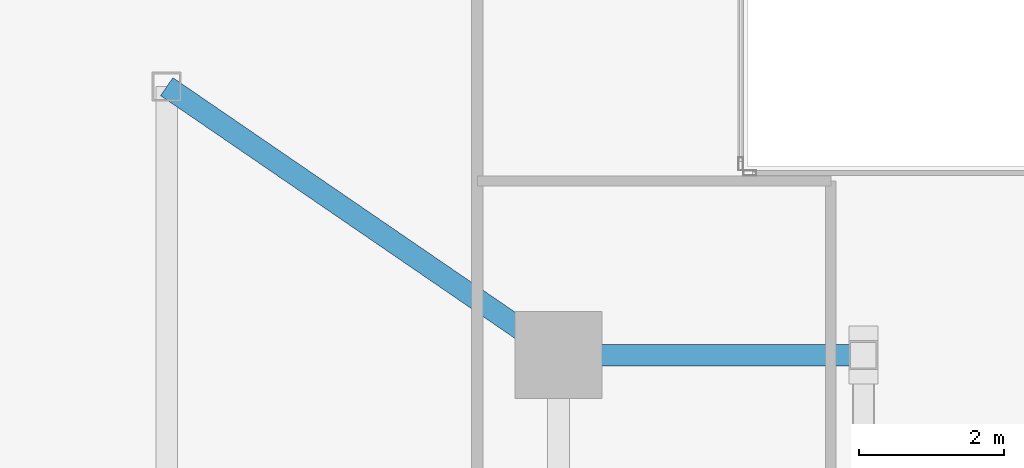
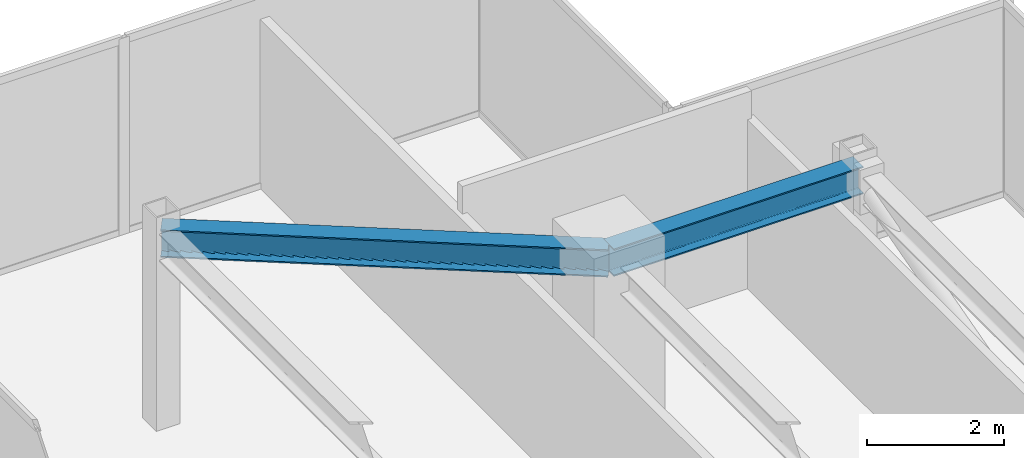
# One storey, part 15 of 25: 2 beams.
"""IFC4 building model written with IfcOpenShell, lengths in metres."""

from ifc_helpers import new_model, si_unit, direction, frame, origin, origin_2d, place, context, subcontext, project, spatial, i_section, extrude, source, transform, mapped, material, material_profile, profile_set, type_object, type_shapes, element, save


model = new_model("IFC4")

# Units and contexts
model_context = context("Model", 3, precision=1e-05, world=origin(), true_north=direction((0.0, 1.0)))
body_context = subcontext(model_context, "Body", "Model", "MODEL_VIEW")
ifc_project = project(units=[si_unit("LENGTHUNIT", "METRE"), si_unit("AREAUNIT", "SQUARE_METRE"), si_unit("VOLUMEUNIT", "CUBIC_METRE"), si_unit("PLANEANGLEUNIT", "RADIAN"), si_unit("MASSUNIT", "GRAM", prefix="KILO")], contexts=[model_context])

# Site, building, storey
site_placement = place(None, origin())
site = spatial("IfcSite", under=ifc_project, at=site_placement, CompositionType="ELEMENT")
building_placement = place(site_placement, origin())
building = spatial("IfcBuilding", under=site, at=building_placement, Name="Krantzveldt Concourse Tower", CompositionType="ELEMENT")
storey_placement = place(building_placement, frame((0.0, 0.0, 367.050048828125)))
storey = spatial("IfcBuildingStorey", under=building, at=storey_placement, Name="L90", CompositionType="ELEMENT", Elevation=367.050048828125)

# Beams
ifc_material = material(Name="Steel S355JR", Category="steel")
ifc_material_profile = material_profile(ifc_material, i_section(OverallWidth=0.300048828125, OverallDepth=0.489990234375, WebThickness=0.011962890625, FlangeThickness=0.02294921875, FilletRadius=0.027099609375, at=origin_2d()), Name="Steel S355JR", Category="steel")
ifc_profile_set = profile_set([ifc_material_profile], Name="Steel S355JR - HEA 500")
beam_type = type_object("IfcBeamType", Name="BM-B-HEA500", PredefinedType="BEAM", material=ifc_profile_set)
shared_shape_1 = source(origin(), body_context, "Body", "SweptSolid", [
    extrude(i_section(OverallWidth=0.300048828125, OverallDepth=0.489990234375, WebThickness=0.011962890625, FlangeThickness=0.02294921875, FilletRadius=0.027099609375, at=origin_2d()), origin(), (0.0, 0.0, 1.0), 4.199951171875),
])
beam_1_placement = place(storey_placement, frame((51.0, 37.5, 3.2548828125), z_axis=(-1.0, 0.0, 0.0), x_axis=(0.0, -1.0, 0.0)))
element("IfcBeam", 1, at=beam_1_placement, inside=storey, type_object=beam_type, Name="L90 Crown Girder EAST-3", PredefinedType="BEAM", context=body_context, shape_type="MappedRepresentation", body=[
    mapped(shared_shape_1, transform((0.0, 0.0, 0.0), x_axis=(1.0, 0.0, 0.0), y_axis=(0.0, 1.0, 0.0), z_axis=(0.0, 0.0, 1.0), scale=1.0)),
])
shared_shape_2 = source(origin(), body_context, "Body", "SweptSolid", [
    extrude(i_section(OverallWidth=0.300048828125, OverallDepth=0.489990234375, WebThickness=0.011962890625, FlangeThickness=0.02294921875, FilletRadius=0.027099609375, at=origin_2d()), origin(), (0.0, 0.0, 1.0), 6.546142578125),
])
type_shapes(beam_type, [shared_shape_1, shared_shape_2])
beam_2_placement = place(storey_placement, frame((46.800048828125, 37.5, 3.2548828125), z_axis=(-0.824942999484, 0.565215930068, 0.0), x_axis=(-0.565215930068, -0.824942999484, 0.0)))
element("IfcBeam", 2, at=beam_2_placement, inside=storey, type_object=beam_type, Name="L90 Crown Girder EAST-4", PredefinedType="BEAM", context=body_context, shape_type="MappedRepresentation", body=[
    mapped(shared_shape_2, transform((0.0, 0.0, 0.0), x_axis=(1.0, 0.0, 0.0), y_axis=(0.0, 1.0, 0.0), z_axis=(0.0, 0.0, 1.0), scale=1.0)),
])

save(model, "model.ifc")
